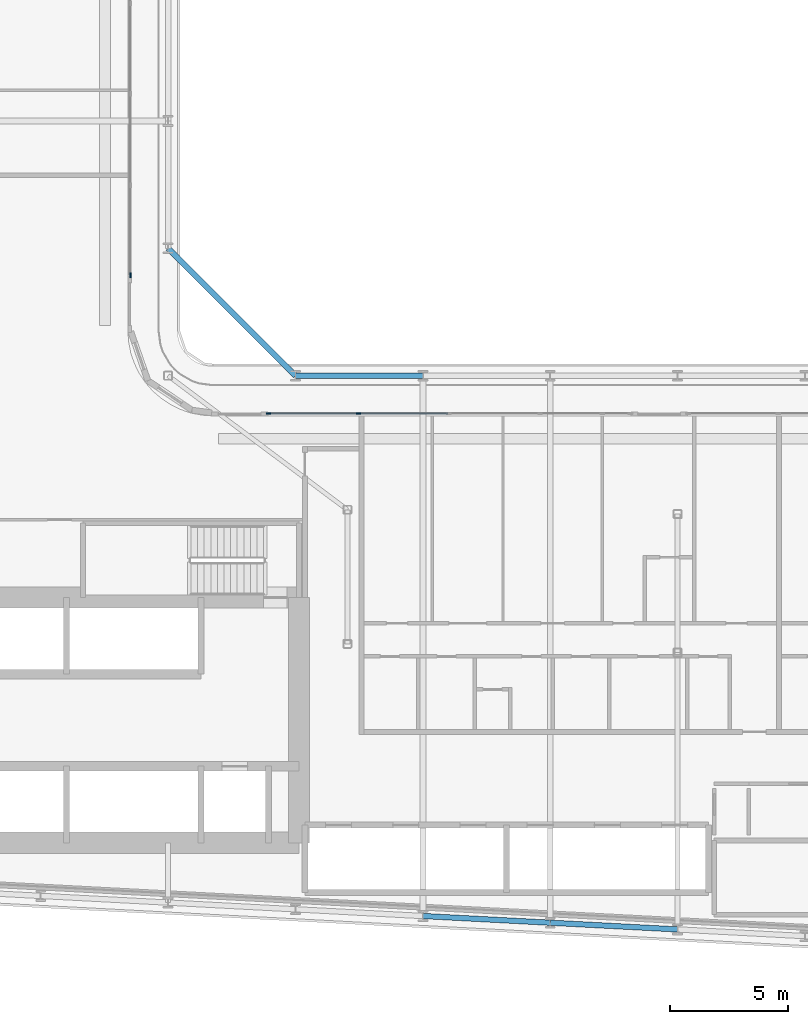
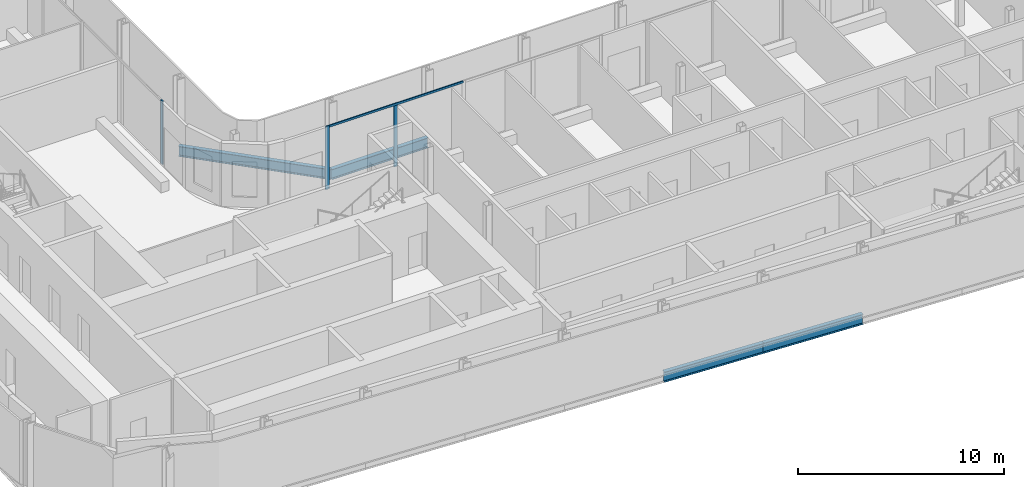
# One storey, part 4 of 28: 4 beams, 4 members, 2 elements without a shape of their own.
"""IFC4 building model written with IfcOpenShell, lengths in metres."""

import ifcopenshell
import ifcopenshell.guid

model = None  # the IFC model being written
_history = None  # IfcOwnerHistory: only IFC2X3 demands one
_inside = {}  # id of a spatial element -> (the spatial element, [elements in it])
_under = {}  # id of a project, library or spatial element -> (it, [spatial elements below it])
_declared = {}  # id of a project -> (the project, [libraries it declares])
_typed = {}  # id of a type object -> (the type object, [elements of that type])
_made_of = {}  # id of a material, layer set ... -> (it, [elements and type objects made of it])


def new_model(schema):
    """Start an empty IFC model of exactly this schema.

    Asked for "IFC4X3", IfcOpenShell would pick the latest addendum, in which some entities
    have other attributes; the version numbers below select the first issue.
    IFC2X3 requires an IfcOwnerHistory on every rooted entity: one is made here for all.
    """
    global model, _history
    if schema == "IFC4X3":
        model = ifcopenshell.file(schema_version=(4, 3, 0, 0))
    else:
        model = ifcopenshell.file(schema=schema)
    _inside.clear()
    _under.clear()
    _declared.clear()
    _typed.clear()
    _made_of.clear()
    _history = None
    if model.schema == "IFC2X3":
        org = make("IfcOrganization", Name="unknown")
        user = make(
            "IfcPersonAndOrganization",
            ThePerson=make("IfcPerson", FamilyName="unknown"),
            TheOrganization=org,
        )
        app = make(
            "IfcApplication",
            ApplicationDeveloper=org,
            Version="unknown",
            ApplicationFullName="unknown",
            ApplicationIdentifier="unknown",
        )
        _history = make(
            "IfcOwnerHistory",
            OwningUser=user,
            OwningApplication=app,
            ChangeAction="ADDED",
            CreationDate=0,
        )
    return model


def make(cls, **values):
    """One entity of the class cls with the attributes given. An attribute that is None is left unset."""
    return model.create_entity(
        cls, **{name: value for name, value in values.items() if value is not None}
    )


def rooted(cls, **values):
    """An entity with a GlobalId (a new one), such as an element, a storey or a relation."""
    return make(cls, GlobalId=ifcopenshell.guid.new(), OwnerHistory=_history, **values)


def si_unit(unit_type, name, prefix=None):
    """IfcSIUnit, for example si_unit("LENGTHUNIT", "METRE", prefix="MILLI")."""
    return make("IfcSIUnit", UnitType=unit_type, Prefix=prefix, Name=name)


def assignment(units):
    """IfcUnitAssignment: the units of a project."""
    return None if units is None else make("IfcUnitAssignment", Units=units)


def point(xyz):
    """IfcCartesianPoint."""
    return None if xyz is None else make("IfcCartesianPoint", Coordinates=xyz)


def direction(xyz):
    """IfcDirection."""
    return None if xyz is None else make("IfcDirection", DirectionRatios=xyz)


def frame(location, z_axis=None, x_axis=None):
    """IfcAxis2Placement3D, a coordinate frame: its origin and axes. An axis left out is left unset."""
    return make(
        "IfcAxis2Placement3D",
        Location=point(location),
        Axis=direction(z_axis),
        RefDirection=direction(x_axis),
    )


def frame_2d(location, x_axis=None):
    """IfcAxis2Placement2D, a coordinate frame in the plane: its origin and x axis."""
    return make(
        "IfcAxis2Placement2D", Location=point(location), RefDirection=direction(x_axis)
    )


def origin():
    """The frame at (0, 0, 0) with its axes left unset."""
    return frame((0.0, 0.0, 0.0))


def origin_2d():
    """The frame at (0, 0) in the plane with its x axis left unset."""
    return frame_2d((0.0, 0.0))


def place(relative_to, where):
    """IfcLocalPlacement: puts the frame where relative to a parent placement (None: the world)."""
    return make(
        "IfcLocalPlacement", PlacementRelTo=relative_to, RelativePlacement=where
    )


def context(
    kind, dimensions, precision=None, world=None, true_north=None, identifier=None
):
    """IfcGeometricRepresentationContext, for example the 3D "Model" context."""
    return make(
        "IfcGeometricRepresentationContext",
        ContextIdentifier=identifier,
        ContextType=kind,
        CoordinateSpaceDimension=dimensions,
        Precision=precision,
        WorldCoordinateSystem=world,
        TrueNorth=true_north,
    )


def subcontext(parent, identifier, kind, view, scale=None):
    """IfcGeometricRepresentationSubContext, for example "Body" below "Model"."""
    return make(
        "IfcGeometricRepresentationSubContext",
        ContextIdentifier=identifier,
        ContextType=kind,
        ParentContext=parent,
        TargetScale=scale,
        TargetView=view,
    )


def project(units=None, contexts=None):
    """IfcProject with its units and contexts."""
    return rooted(
        "IfcProject",
        Name="project",
        RepresentationContexts=contexts,
        UnitsInContext=assignment(units),
    )


def spatial(cls, under=None, at=None, **own):
    """A site, building, storey or space (cls), placed at a placement, below another one or the project."""
    s = rooted(cls, ObjectPlacement=at, **own)
    if under is not None:
        _under.setdefault(under.id(), (under, []))[1].append(s)
    return s


def profile(cls, at=None, kind="AREA", **sizes):
    """A parametric profile (cls). Its sizes go by their IFC names, for example OverallWidth=200.0."""
    return make(cls, ProfileType=kind, Position=at, **sizes)


def rectangle(**sizes):
    """IfcRectangleProfileDef."""
    return profile("IfcRectangleProfileDef", **sizes)


def i_section(**sizes):
    """IfcIShapeProfileDef."""
    return profile("IfcIShapeProfileDef", **sizes)


def extrude(swept, where, along, depth):
    """IfcExtrudedAreaSolid: the profile swept, set in the frame where, extruded along a direction by depth."""
    return make(
        "IfcExtrudedAreaSolid",
        SweptArea=swept,
        Position=where,
        ExtrudedDirection=direction(along),
        Depth=depth,
    )


def shape(context_of_items, identifier, shape_type, items):
    """IfcShapeRepresentation: the items that make up one representation, for example the "Body"."""
    return make(
        "IfcShapeRepresentation",
        ContextOfItems=context_of_items,
        RepresentationIdentifier=identifier,
        RepresentationType=shape_type,
        Items=items,
    )


def material(Name=None, Category=None):
    """IfcMaterial."""
    return make("IfcMaterial", Name=Name, Category=Category)


def layer(
    of_material, thickness, ventilated=None, Name=None, Category=None, Priority=None
):
    """IfcMaterialLayer: one layer of a wall or slab, of a material (None: an air gap)."""
    return make(
        "IfcMaterialLayer",
        Material=of_material,
        LayerThickness=thickness,
        IsVentilated=ventilated,
        Name=Name,
        Category=Category,
        Priority=Priority,
    )


def layer_set(layers, Name=None):
    """IfcMaterialLayerSet."""
    return make("IfcMaterialLayerSet", MaterialLayers=layers, LayerSetName=Name)


def material_profile(
    of_material, cross_section, Name=None, Category=None, Priority=None
):
    """IfcMaterialProfile: a cross section and its material."""
    return make(
        "IfcMaterialProfile",
        Name=Name,
        Material=of_material,
        Profile=cross_section,
        Priority=Priority,
        Category=Category,
    )


def profile_set(profiles, Name=None, composite=None):
    """IfcMaterialProfileSet."""
    return make(
        "IfcMaterialProfileSet",
        Name=Name,
        MaterialProfiles=profiles,
        CompositeProfile=composite,
    )


def made_of(thing, what):
    """Note that an element or type object is made of a material, layer set ...; save() writes the relation."""
    if what is not None:
        _made_of.setdefault(what.id(), (what, []))[1].append(thing)
    return thing


def type_object(cls, material=None, **own):
    """A type object (cls), such as IfcWallType, which elements share."""
    return made_of(rooted(cls, **own), material)


def element(
    cls,
    number,
    at=None,
    inside=None,
    cuts=None,
    type_object=None,
    material=None,
    context=None,
    identifier="Body",
    shape_type=None,
    held_by="IfcProductDefinitionShape",
    body=None,
    shapes=None,
    **own,
):
    """One element of the class cls, such as IfcWall. Its Tag is "e" and its number.

    at: its placement. inside: the storey or other place that contains it. cuts: it is an
    opening in that element (IfcRelVoidsElement). A single representation is given by context,
    identifier, shape_type and body (its items); several are given by shapes. held_by: the class
    of the entity that holds the representations. save() writes the other relations.
    """
    e = rooted(cls, Tag="e%d" % number, ObjectPlacement=at, **own)
    if body is not None:
        shapes = [shape(context, identifier, shape_type, body)]
    if shapes is not None:
        e.Representation = make(held_by, Representations=shapes)
    if inside is not None:
        _inside.setdefault(inside.id(), (inside, []))[1].append(e)
    if cuts is not None:
        rooted(
            "IfcRelVoidsElement", RelatingBuildingElement=cuts, RelatedOpeningElement=e
        )
    if type_object is not None:
        _typed.setdefault(type_object.id(), (type_object, []))[1].append(e)
    return made_of(e, material)


def aggregate(whole, parts):
    """IfcRelAggregates: a whole, such as a stair, and the parts it consists of."""
    return rooted("IfcRelAggregates", RelatingObject=whole, RelatedObjects=parts)


def save(model, path):
    """Write the relations noted so far, then the file.

    IfcRelAggregates (storeys below a building ...), IfcRelContainedInSpatialStructure (elements
    in a storey), IfcRelDefinesByType, IfcRelAssociatesMaterial and IfcRelDeclares: one each for
    every whole, place, type object, material and project.
    """
    for whole, parts in _under.values():
        aggregate(whole, parts)
    for where, things in _inside.values():
        rooted(
            "IfcRelContainedInSpatialStructure",
            RelatedElements=things,
            RelatingStructure=where,
        )
    for kind, things in _typed.values():
        rooted("IfcRelDefinesByType", RelatedObjects=things, RelatingType=kind)
    for what, things in _made_of.values():
        rooted("IfcRelAssociatesMaterial", RelatedObjects=things, RelatingMaterial=what)
    for by, libraries in _declared.values():
        rooted("IfcRelDeclares", RelatingContext=by, RelatedDefinitions=libraries)
    model.write(path)


model = new_model("IFC4")

# Units and contexts
model_context = context("Model", 3, precision=1e-05, world=origin(), true_north=direction((0.0, 1.0)))
body_context = subcontext(model_context, "Body", "Model", "MODEL_VIEW")
ifc_project = project(units=[si_unit("LENGTHUNIT", "METRE"), si_unit("AREAUNIT", "SQUARE_METRE"), si_unit("VOLUMEUNIT", "CUBIC_METRE"), si_unit("PLANEANGLEUNIT", "RADIAN"), si_unit("MASSUNIT", "GRAM", prefix="KILO")], contexts=[model_context])

# Site, building, storey
site_placement = place(None, origin())
site = spatial("IfcSite", under=ifc_project, at=site_placement, CompositionType="ELEMENT")
building_placement = place(site_placement, origin())
building = spatial("IfcBuilding", under=site, at=building_placement, Name="Kheshtan School and Residences Tower", CompositionType="ELEMENT")
storey_placement = place(building_placement, frame((0.0, 0.0, 137.0)))
storey = spatial("IfcBuildingStorey", under=building, at=storey_placement, Name="L32", CompositionType="ELEMENT", Elevation=137.0)

# Beams
ifc_material_1 = material(Name="Steel ASTM A992 Grade 50", Category="steel")
ifc_material_profile_1 = material_profile(ifc_material_1, i_section(OverallWidth=0.22802734375, OverallDepth=0.60302734375, WebThickness=0.010498046875, FlangeThickness=0.014892578125, FilletRadius=0.013427734375, at=origin_2d()), Name="W610x101")
ifc_profile_set_1 = profile_set([ifc_material_profile_1], Name="Steel ASTM A992 Grade 50")
beam_type = type_object("IfcBeamType", Name="Beam SP2 W610x101 ASTM A992 Grade 50", PredefinedType="BEAM", material=ifc_profile_set_1)
beam_1_placement = place(storey_placement, frame((47.60009765625, 51.0, -0.451416015625), z_axis=(0.707106781187, -0.707106781187, 0.0), x_axis=(0.707106781187, 0.707106781187, 0.0)))
element("IfcBeam", 1, at=beam_1_placement, inside=storey, type_object=beam_type, Name="Spandrel beam C079-C061", PredefinedType="BEAM", context=body_context, shape_type="SweptSolid", body=[
    extrude(i_section(OverallWidth=0.22802734375, OverallDepth=0.60302734375, WebThickness=0.010498046875, FlangeThickness=0.014892578125, FilletRadius=0.013427734375, at=origin_2d()), origin(), (0.0, 0.0, 1.0), 7.63671875),
])
beam_2_placement = place(storey_placement, frame((53.0, 45.60009765625, -0.451416015625), z_axis=(1.0, 0.0, 0.0), x_axis=(0.0, 1.0, 0.0)))
element("IfcBeam", 2, at=beam_2_placement, inside=storey, type_object=beam_type, Name="Spandrel beam C061-C062", PredefinedType="BEAM", context=body_context, shape_type="SweptSolid", body=[
    extrude(i_section(OverallWidth=0.22802734375, OverallDepth=0.60302734375, WebThickness=0.010498046875, FlangeThickness=0.014892578125, FilletRadius=0.013427734375, at=origin_2d()), origin(), (0.0, 0.0, 1.0), 5.39990234375),
])
beam_3_placement = place(storey_placement, frame((69.199951171875, 22.126953125, -0.451416015625), z_axis=(-0.998620447272, 0.05250906864, 0.0), x_axis=(-0.05250906864, -0.998620447272, 0.0)))
element("IfcBeam", 3, at=beam_3_placement, inside=storey, type_object=beam_type, Name="Spandrel beam C014-C016", PredefinedType="BEAM", context=body_context, shape_type="SweptSolid", body=[
    extrude(i_section(OverallWidth=0.22802734375, OverallDepth=0.60302734375, WebThickness=0.010498046875, FlangeThickness=0.014892578125, FilletRadius=0.013427734375, at=origin_2d()), origin(), (0.0, 0.0, 1.0), 5.407470703125),
])
beam_4_placement = place(storey_placement, frame((63.800048828125, 22.410888671875, -0.451416015625), z_axis=(-0.998618203458, 0.052551724256, 0.0), x_axis=(-0.052551724256, -0.998618203458, 0.0)))
element("IfcBeam", 4, at=beam_4_placement, inside=storey, type_object=beam_type, Name="Spandrel beam C016-C018", PredefinedType="BEAM", context=body_context, shape_type="SweptSolid", body=[
    extrude(i_section(OverallWidth=0.22802734375, OverallDepth=0.60302734375, WebThickness=0.010498046875, FlangeThickness=0.014892578125, FilletRadius=0.013427734375, at=origin_2d()), origin(), (0.0, 0.0, 1.0), 5.40771484375),
])

# Curtain wall, member
ifc_material_2 = material(Name="Clear low-e glass in thermally broken aluminium frame", Category="aluminium")
ifc_layer = layer(ifc_material_2, 0.199951171875)
ifc_layer_set = layer_set([ifc_layer], Name="Curtain wall CW-L")
curtain_wall_type = type_object("IfcCurtainWallType", Name="Curtain wall CW-L", PredefinedType="NOTDEFINED", material=ifc_layer_set)
curtain_wall_1_placement = place(storey_placement, origin())
curtain_wall_1 = element("IfcCurtainWall", 5, at=curtain_wall_1_placement, inside=storey, type_object=curtain_wall_type, Name="Curtain wall CWL8", PredefinedType="NOTDEFINED")
ifc_material_3 = material(Name="Thermally broken aluminium, dark bronze anodised", Category="aluminium")
ifc_material_profile_2 = material_profile(ifc_material_3, rectangle(XDim=0.06005859375, YDim=0.199951171875, at=origin_2d()), Name="CW-L mullion 60x200")
ifc_profile_set_2 = profile_set([ifc_material_profile_2], Name="Thermally broken aluminium, dark bronze anodised")
member_type_1 = type_object("IfcMemberType", Name="CW-L mullion 60x200", PredefinedType="MULLION", material=ifc_profile_set_2)
member_1_placement = place(storey_placement, frame((46.0, 49.860107421875, 0.0), z_axis=(0.0, 0.0, 1.0), x_axis=(1.0, 0.0, 0.0)))
member_1 = element("IfcMember", 6, at=member_1_placement, type_object=member_type_1, Name="CWL8 mullion 3", PredefinedType="MULLION", context=body_context, shape_type="SweptSolid", body=[
    extrude(rectangle(XDim=0.06005859375, YDim=0.199951171875, at=origin_2d()), origin(), (0.0, 0.0, 1.0), 3.75),
])
aggregate(curtain_wall_1, [member_1])

# Curtain wall, members
curtain_wall_2_placement = place(storey_placement, origin())
curtain_wall_2 = element("IfcCurtainWall", 7, at=curtain_wall_2_placement, inside=storey, type_object=curtain_wall_type, Name="Curtain wall CWL12j", PredefinedType="NOTDEFINED")
member_2_placement = place(storey_placement, frame((51.860107421875, 44.0, 0.0), z_axis=(0.0, 0.0, 1.0), x_axis=(0.0, 1.0, 0.0)))
member_2 = element("IfcMember", 8, at=member_2_placement, type_object=member_type_1, Name="CWL12j mullion 1", PredefinedType="MULLION", context=body_context, shape_type="SweptSolid", body=[
    extrude(rectangle(XDim=0.06005859375, YDim=0.199951171875, at=origin_2d()), origin(), (0.0, 0.0, 1.0), 3.75),
])
member_3_placement = place(storey_placement, frame((55.677001953125, 44.0, 0.0), z_axis=(0.0, 0.0, 1.0), x_axis=(0.0, 1.0, 0.0)))
member_3 = element("IfcMember", 9, at=member_3_placement, type_object=member_type_1, Name="CWL12j mullion 2", PredefinedType="MULLION", context=body_context, shape_type="SweptSolid", body=[
    extrude(rectangle(XDim=0.06005859375, YDim=0.199951171875, at=origin_2d()), origin(), (0.0, 0.0, 1.0), 3.6298828125),
])
ifc_material_profile_3 = material_profile(ifc_material_3, rectangle(XDim=0.06005859375, YDim=0.1201171875, at=origin_2d()), Name="CW-L transom 60x120")
ifc_profile_set_3 = profile_set([ifc_material_profile_3], Name="Thermally broken aluminium, dark bronze anodised")
member_type_2 = type_object("IfcMemberType", Name="CW-L transom 60x120", PredefinedType="USERDEFINED", material=ifc_profile_set_3)
member_4_placement = place(storey_placement, frame((51.889892578125, 44.0, 3.68994140625), z_axis=(1.0, 0.0, 0.0), x_axis=(0.0, 1.0, 0.0)))
member_4 = element("IfcMember", 10, at=member_4_placement, type_object=member_type_2, Name="CWL12j transom 1", ObjectType="TRANSOM", PredefinedType="USERDEFINED", context=body_context, shape_type="SweptSolid", body=[
    extrude(rectangle(XDim=0.06005859375, YDim=0.1201171875, at=origin_2d()), origin(), (0.0, 0.0, 1.0), 7.57421875),
])
aggregate(curtain_wall_2, [member_2, member_3, member_4])

save(model, "model.ifc")
